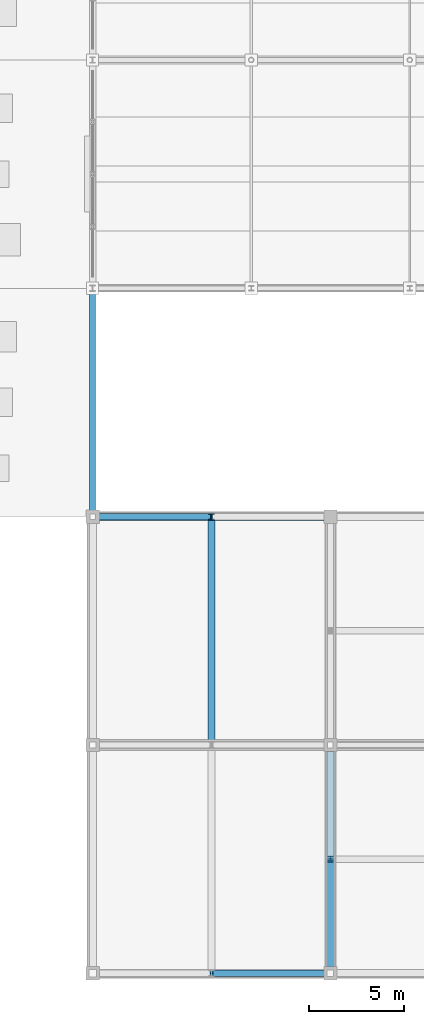
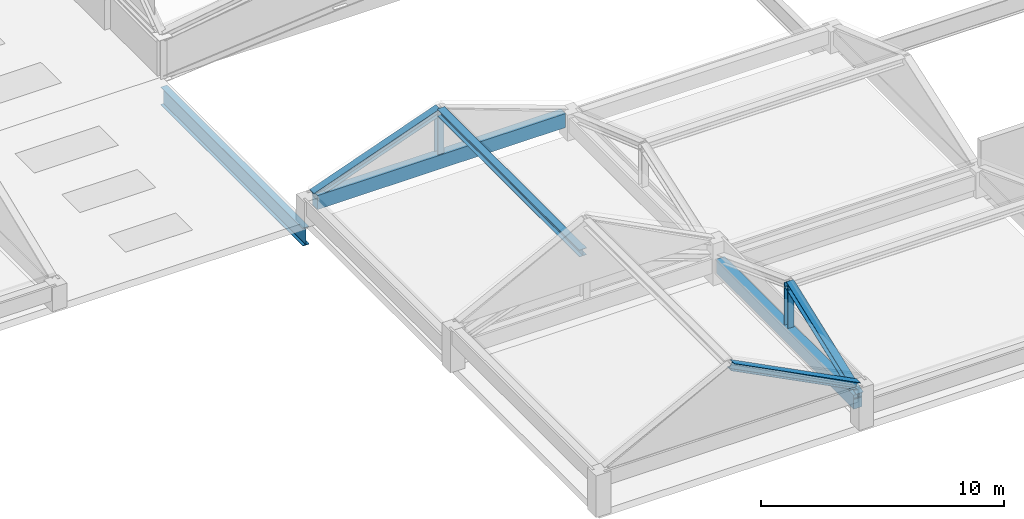
# One storey, part 5 of 117: 6 members, 3 beams.
"""IFC4 building model written with IfcOpenShell, lengths in metres."""

from ifc_helpers import new_model, si_unit, direction, frame, origin, origin_2d, place, context, subcontext, project, spatial, rectangle, i_section, extrude, material, material_profile, profile_set, type_object, element, save


model = new_model("IFC4")

# Units and contexts
model_context = context("Model", 3, precision=1e-05, world=origin(), true_north=direction((0.0, 1.0)))
body_context = subcontext(model_context, "Body", "Model", "MODEL_VIEW")
ifc_project = project(units=[si_unit("LENGTHUNIT", "METRE"), si_unit("AREAUNIT", "SQUARE_METRE"), si_unit("VOLUMEUNIT", "CUBIC_METRE"), si_unit("PLANEANGLEUNIT", "RADIAN"), si_unit("MASSUNIT", "GRAM", prefix="KILO")], contexts=[model_context])

# Site, building, storey
site_placement = place(None, origin())
site = spatial("IfcSite", under=ifc_project, at=site_placement, CompositionType="ELEMENT")
building_placement = place(site_placement, origin())
building = spatial("IfcBuilding", under=site, at=building_placement, Name="Kazenohara Klinker Stadium", CompositionType="ELEMENT")
storey_placement = place(building_placement, frame((0.0, 0.0, 31.199951171875)))
storey = spatial("IfcBuildingStorey", under=building, at=storey_placement, Name="RF", CompositionType="ELEMENT", Elevation=31.199951171875)

# Beams
ifc_material_1 = material(Name="Concrete C40/50", Category="concrete")
ifc_material_profile_1 = material_profile(ifc_material_1, rectangle(XDim=0.39990234375, YDim=0.699951171875, at=origin_2d()), Name="RC-BM-400x700")
ifc_profile_set_1 = profile_set([ifc_material_profile_1], Name="Concrete C40/50")
beam_type_1 = type_object("IfcBeamType", Name="BM-RC04", PredefinedType="BEAM", material=ifc_profile_set_1)
beam_1_placement = place(storey_placement, frame((36.5, 12.35009765625, 0.949951171875), z_axis=(0.0, 1.0, 0.0), x_axis=(-1.0, 0.0, 0.0)))
element("IfcBeam", 1, at=beam_1_placement, inside=storey, type_object=beam_type_1, Name="Turret crown eave girder BG04 RF Y3-1", PredefinedType="BEAM", context=body_context, shape_type="SweptSolid", body=[
    extrude(rectangle(XDim=0.39990234375, YDim=0.699951171875, at=origin_2d()), origin(), (0.0, 0.0, 1.0), 11.2998046875),
])
beam_2_placement = place(storey_placement, frame((24.35009765625, 36.0, 0.949951171875), z_axis=(1.0, 0.0, 0.0), x_axis=(0.0, 1.0, 0.0)))
element("IfcBeam", 2, at=beam_2_placement, inside=storey, type_object=beam_type_1, Name="Turret crown eave girder BG04 RF X2-3", PredefinedType="BEAM", context=body_context, shape_type="SweptSolid", body=[
    extrude(rectangle(XDim=0.39990234375, YDim=0.699951171875, at=origin_2d()), origin(), (0.0, 0.0, 1.0), 11.7998046875),
])

# Members
ifc_material_2 = material(Name="Steel S355", Category="steel")
ifc_material_profile_2 = material_profile(ifc_material_2, i_section(OverallWidth=0.35009765625, OverallDepth=0.35009765625, WebThickness=0.011962890625, FlangeThickness=0.01904296875, FilletRadius=0.012939453125, at=origin_2d()), Name="H-350x350x12x19")
ifc_profile_set_2 = profile_set([ifc_material_profile_2], Name="Steel S355")
member_type_1 = type_object("IfcMemberType", Name="MEM-CHD02", PredefinedType="CHORD", material=ifc_profile_set_2)
member_1_placement = place(storey_placement, frame((36.25, 12.0, 2.080078125), z_axis=(-0.890230058261, 0.0, 0.455511189072), x_axis=(0.0, -1.0, 0.0)))
element("IfcMember", 3, at=member_1_placement, inside=storey, type_object=member_type_1, Name="Crown gable rafter GT2-SW S East", PredefinedType="CHORD", context=body_context, shape_type="SweptSolid", body=[
    extrude(i_section(OverallWidth=0.35009765625, OverallDepth=0.35009765625, WebThickness=0.011962890625, FlangeThickness=0.01904296875, FilletRadius=0.012939453125, at=origin_2d()), origin(), (0.0, 0.0, 1.0), 6.73974609375),
])
member_2_placement = place(storey_placement, frame((36.5, 12.25, 1.280029296875), z_axis=(0.0, 0.935595776827, 0.35307299866), x_axis=(-1.0, 0.0, 0.0)))
element("IfcMember", 4, at=member_2_placement, inside=storey, type_object=member_type_1, Name="Crown gable rafter GT2-SE W South", PredefinedType="CHORD", context=body_context, shape_type="SweptSolid", body=[
    extrude(i_section(OverallWidth=0.35009765625, OverallDepth=0.35009765625, WebThickness=0.011962890625, FlangeThickness=0.01904296875, FilletRadius=0.012939453125, at=origin_2d()), origin(), (0.0, 0.0, 1.0), 6.145751953125),
])
member_3_placement = place(storey_placement, frame((24.25, 36.0, 1.280029296875), z_axis=(0.940390807712, 0.0, 0.340095764117), x_axis=(0.0, 1.0, 0.0)))
element("IfcMember", 5, at=member_3_placement, inside=storey, type_object=member_type_1, Name="Crown gable rafter GT2-NW N West", PredefinedType="CHORD", context=body_context, shape_type="SweptSolid", body=[
    extrude(i_section(OverallWidth=0.35009765625, OverallDepth=0.35009765625, WebThickness=0.011962890625, FlangeThickness=0.01904296875, FilletRadius=0.012939453125, at=origin_2d()), origin(), (0.0, 0.0, 1.0), 6.38037109375),
])
member_4_placement = place(storey_placement, frame((30.25, 24.14990234375, 3.449951171875), z_axis=(0.0, 1.0, 0.0), x_axis=(-1.0, 0.0, 0.0)))
element("IfcMember", 6, at=member_4_placement, inside=storey, type_object=member_type_1, Name="Crown ridge beam GT2-NW", PredefinedType="CHORD", context=body_context, shape_type="SweptSolid", body=[
    extrude(i_section(OverallWidth=0.35009765625, OverallDepth=0.35009765625, WebThickness=0.011962890625, FlangeThickness=0.01904296875, FilletRadius=0.012939453125, at=origin_2d()), origin(), (0.0, 0.0, 1.0), 11.7001953125),
])
ifc_material_profile_3 = material_profile(ifc_material_2, i_section(OverallWidth=0.300048828125, OverallDepth=0.300048828125, WebThickness=0.010009765625, FlangeThickness=0.014892578125, FilletRadius=0.012939453125, at=origin_2d()), Name="H-300x300x10x15")
ifc_profile_set_3 = profile_set([ifc_material_profile_3], Name="Steel S355")
member_type_2 = type_object("IfcMemberType", Name="MEM-STR01", PredefinedType="STRUT", material=ifc_profile_set_3)
for number, where, z_axis, x_axis, name in (
    (7, (36.5, 18.0, 1.280029296875), (0.0, 0.0, 1.0), (1.0, 0.0, 0.0), "Crown gable king-post GT2-SE W"),
    (8, (30.25, 36.0, 1.280029296875), (0.0, 0.0, 1.0), (1.0, 0.0, 0.0), "Crown gable king-post GT2-NW N"),
):
    element("IfcMember", number, at=place(storey_placement, frame(where, z_axis=z_axis, x_axis=x_axis)), inside=storey, type_object=member_type_2, Name=name, PredefinedType="STRUT", context=body_context, shape_type="SweptSolid", body=[
        extrude(i_section(OverallWidth=0.300048828125, OverallDepth=0.300048828125, WebThickness=0.010009765625, FlangeThickness=0.014892578125, FilletRadius=0.012939453125, at=origin_2d()), origin(), (0.0, 0.0, 1.0), 2.169921875),
    ])

# Beam
ifc_material_profile_4 = material_profile(ifc_material_2, i_section(OverallWidth=0.300048828125, OverallDepth=0.89990234375, WebThickness=0.01611328125, FlangeThickness=0.028076171875, FilletRadius=0.02197265625, at=origin_2d()), Name="H-900x300x16x28")
ifc_profile_set_4 = profile_set([ifc_material_profile_4], Name="Steel S355")
beam_type_2 = type_object("IfcBeamType", Name="RING-RB01", PredefinedType="USERDEFINED", material=ifc_profile_set_4)
beam_3_placement = place(storey_placement, frame((24.0, 36.139892578125, -0.820068359375), z_axis=(0.0, 1.0, 0.0), x_axis=(-1.0, 0.0, 0.0)))
element("IfcBeam", 9, at=beam_3_placement, inside=storey, type_object=beam_type_2, Name="Roof ring beam RB01 W-OUT D-E", ObjectType="RING BEAM", PredefinedType="USERDEFINED", context=body_context, shape_type="SweptSolid", body=[
    extrude(i_section(OverallWidth=0.300048828125, OverallDepth=0.89990234375, WebThickness=0.01611328125, FlangeThickness=0.028076171875, FilletRadius=0.02197265625, at=origin_2d()), origin(), (0.0, 0.0, 1.0), 11.72021484375),
])

save(model, "model.ifc")
